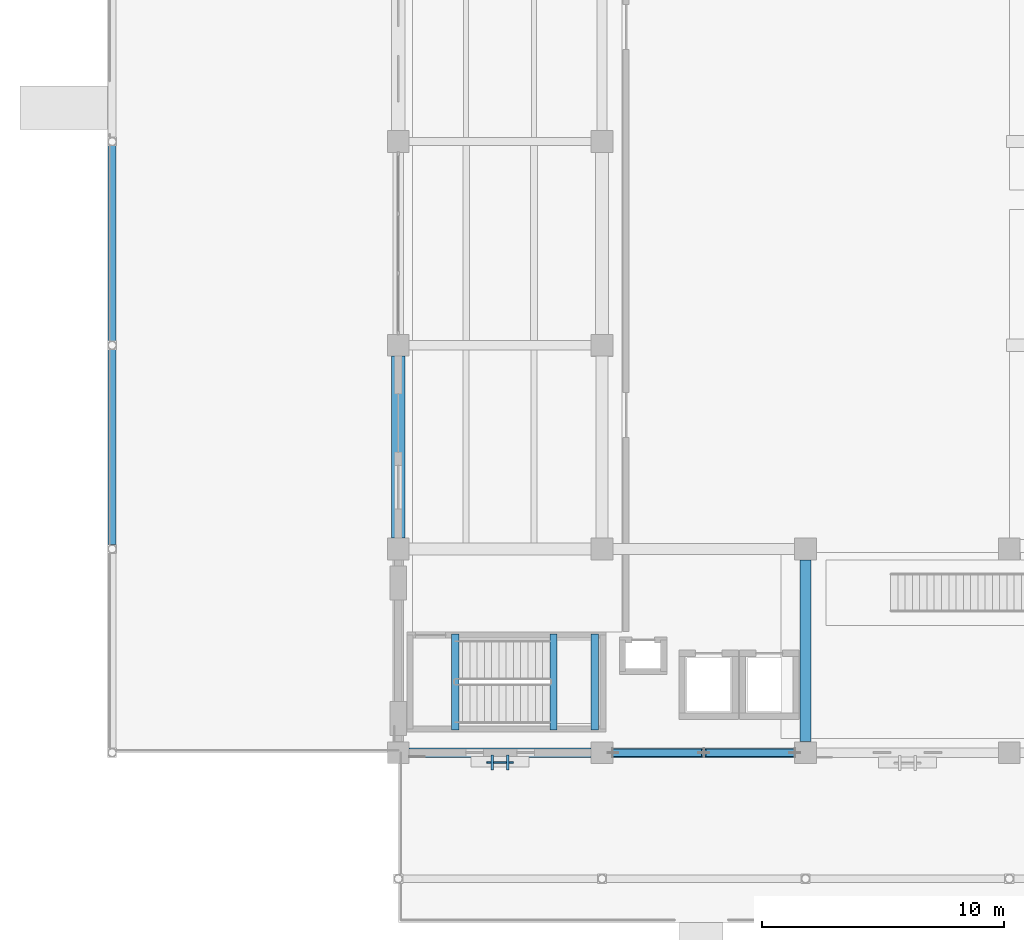
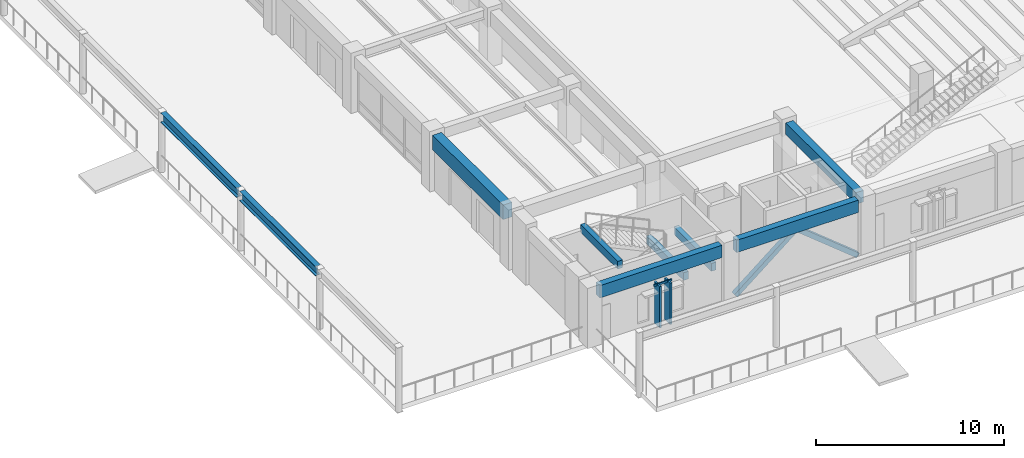
# One storey, part 23 of 135: 9 beams, 5 members, 1 element without a shape of its own.
"""IFC4 building model written with IfcOpenShell, lengths in metres."""

from ifc_helpers import new_model, si_unit, direction, frame, origin, origin_2d, place, context, subcontext, project, spatial, rectangle, hollow_rectangle, i_section, extrude, material, material_profile, profile_set, type_object, element, aggregate, save


model = new_model("IFC4")

# Units and contexts
model_context = context("Model", 3, precision=1e-05, world=origin(), true_north=direction((0.0, 1.0)))
body_context = subcontext(model_context, "Body", "Model", "MODEL_VIEW")
ifc_project = project(units=[si_unit("LENGTHUNIT", "METRE"), si_unit("AREAUNIT", "SQUARE_METRE"), si_unit("VOLUMEUNIT", "CUBIC_METRE"), si_unit("PLANEANGLEUNIT", "RADIAN"), si_unit("MASSUNIT", "GRAM", prefix="KILO")], contexts=[model_context])

# Site, building, storey
site_placement = place(None, origin())
site = spatial("IfcSite", under=ifc_project, at=site_placement, CompositionType="ELEMENT")
building_placement = place(site_placement, origin())
building = spatial("IfcBuilding", under=site, at=building_placement, Name="Cumbredor Promenade Congress Hotel", CompositionType="ELEMENT")
storey_placement = place(building_placement, origin())
storey = spatial("IfcBuildingStorey", under=building, at=storey_placement, Name="L00", CompositionType="ELEMENT", Elevation=0.0)

# Beams
ifc_material_1 = material(Name="Concrete C40/50", Category="concrete")
ifc_material_profile_1 = material_profile(ifc_material_1, rectangle(XDim=0.449951171875, YDim=0.75, at=origin_2d()), Name="RC BEAM 450x750")
ifc_profile_set_1 = profile_set([ifc_material_profile_1], Name="Concrete C40/50")
beam_type_1 = type_object("IfcBeamType", Name="BM-RC-450x750", PredefinedType="BEAM", material=ifc_profile_set_1)
beam_1_placement = place(storey_placement, frame((25.199951171875, 8.85009765625, 3.264892578125), z_axis=(0.0, 1.0, 0.0), x_axis=(-1.0, 0.0, 0.0)))
element("IfcBeam", 1, at=beam_1_placement, inside=storey, type_object=beam_type_1, Name="L01 Y-Grid Beam 051", PredefinedType="BEAM", context=body_context, shape_type="SweptSolid", body=[
    extrude(rectangle(XDim=0.449951171875, YDim=0.75, at=origin_2d()), origin(), (0.0, 0.0, 1.0), 7.5),
])
ifc_material_profile_2 = material_profile(ifc_material_1, rectangle(XDim=0.550048828125, YDim=0.949951171875, at=origin_2d()), Name="RC BEAM 550x950")
ifc_profile_set_2 = profile_set([ifc_material_profile_2], Name="Concrete C40/50")
beam_type_2 = type_object("IfcBeamType", Name="BM-RC-550x950", PredefinedType="BEAM", material=ifc_profile_set_2)
beam_2_placement = place(storey_placement, frame((8.39990234375, 17.25, 3.1650390625), z_axis=(0.0, 1.0, 0.0), x_axis=(-1.0, 0.0, 0.0)))
element("IfcBeam", 2, at=beam_2_placement, inside=storey, type_object=beam_type_2, Name="L01 Y-Grid Beam 013", PredefinedType="BEAM", context=body_context, shape_type="SweptSolid", body=[
    extrude(rectangle(XDim=0.550048828125, YDim=0.949951171875, at=origin_2d()), origin(), (0.0, 0.0, 1.0), 7.5),
])
ifc_material_2 = material(Name="Steel ASTM A992 Grade 50", Category="steel")
ifc_material_profile_3 = material_profile(ifc_material_2, i_section(OverallWidth=0.323974609375, OverallDepth=0.611083984375, WebThickness=0.0126953125, FlangeThickness=0.01904296875, at=origin_2d()), Name="W24X104")
ifc_profile_set_3 = profile_set([ifc_material_profile_3], Name="Steel ASTM A992 Grade 50")
beam_type_3 = type_object("IfcBeamType", Name="BM-W24X104", PredefinedType="BEAM", material=ifc_profile_set_3)
for number, where, z_axis, x_axis, name in (
    (3, (-3.39990234375, 16.97998046875, 3.60009765625), (0.0, 1.0, 0.0), (-1.0, 0.0, 0.0), "West Promenade Canopy Edge Beam 02"),
    (4, (-3.39990234375, 25.3798828125, 3.60009765625), (0.0, 1.0, 0.0), (-1.0, 0.0, 0.0), "West Promenade Canopy Edge Beam 03"),
):
    element("IfcBeam", number, at=place(storey_placement, frame(where, z_axis=z_axis, x_axis=x_axis)), inside=storey, type_object=beam_type_3, Name=name, PredefinedType="BEAM", context=body_context, shape_type="SweptSolid", body=[
        extrude(i_section(OverallWidth=0.323974609375, OverallDepth=0.611083984375, WebThickness=0.0126953125, FlangeThickness=0.01904296875, at=origin_2d()), origin(), (0.0, 0.0, 1.0), 8.080078125),
    ])

# Curtain wall, member
ifc_material_3 = material(Name="Thermally broken anodized aluminium and low-E glass", Category="aluminium")
curtain_wall_type = type_object("IfcCurtainWallType", Name="Solar Brise-Soleil Screen Assembly CW-07", PredefinedType="NOTDEFINED", material=ifc_material_3)
curtain_wall_placement = place(storey_placement, origin())
curtain_wall = element("IfcCurtainWall", 5, at=curtain_wall_placement, inside=storey, type_object=curtain_wall_type, Name="L00 Pier Brise-Soleil Screen 0001", PredefinedType="NOTDEFINED")
ifc_material_4 = material(Name="Thermally broken anodized aluminium", Category="aluminium")
ifc_material_profile_4 = material_profile(ifc_material_4, rectangle(XDim=0.06494140625, YDim=0.1298828125, at=origin_2d()), Name="ALU TRANSOM 65x130")
ifc_profile_set_4 = profile_set([ifc_material_profile_4], Name="Thermally broken anodized aluminium")
member_type_1 = type_object("IfcMemberType", Name="Curtain Wall Transom TR-01", PredefinedType="USERDEFINED", material=ifc_profile_set_4)
member_1_placement = place(storey_placement, frame((12.050048828125, 7.989990234375, 2.6650390625), z_axis=(1.0, 0.0, 0.0), x_axis=(0.0, 1.0, 0.0)))
member_1 = element("IfcMember", 6, at=member_1_placement, type_object=member_type_1, Name="L00 Pier Brise-Soleil Header 0003", ObjectType="TRANSOM", PredefinedType="USERDEFINED", context=body_context, shape_type="SweptSolid", body=[
    extrude(rectangle(XDim=0.06494140625, YDim=0.1298828125, at=origin_2d()), origin(), (0.0, 0.0, 1.0), 1.099853515625),
])

# Beams
ifc_material_profile_5 = material_profile(ifc_material_1, rectangle(XDim=0.300048828125, YDim=0.5, at=origin_2d()), Name="RC LINTEL 300x500")
ifc_profile_set_5 = profile_set([ifc_material_profile_5], Name="Concrete C40/50")
beam_type_4 = type_object("IfcBeamType", Name="LN-RC-300x500", PredefinedType="LINTEL", material=ifc_profile_set_5)
for number, where, z_axis, x_axis, name in (
    (7, (16.5, 9.330078125, 1.510009765625), (0.0, 1.0, 0.0), (-1.0, 0.0, 0.0), "L00 Stair ST-04 Landing Ledger Beam E"),
    (8, (14.800048828125, 9.330078125, 1.510009765625), (0.0, 1.0, 0.0), (-1.0, 0.0, 0.0), "L00 Stair ST-04 Landing Ledger Beam W"),
    (9, (10.75, 9.330078125, 3.669921875), (0.0, 1.0, 0.0), (-1.0, 0.0, 0.0), "L01 Stair ST-04 Well Header Trimmer Beam"),
):
    element("IfcBeam", number, at=place(storey_placement, frame(where, z_axis=z_axis, x_axis=x_axis)), inside=storey, type_object=beam_type_4, Name=name, PredefinedType="LINTEL", context=body_context, shape_type="SweptSolid", body=[
        extrude(rectangle(XDim=0.300048828125, YDim=0.5, at=origin_2d()), origin(), (0.0, 0.0, 1.0), 3.969970703125),
    ])
ifc_material_profile_6 = material_profile(ifc_material_1, rectangle(XDim=0.39990234375, YDim=0.800048828125, at=origin_2d()), Name="RC SPANDREL 400x800")
ifc_profile_set_6 = profile_set([ifc_material_profile_6], Name="Concrete C40/50")
beam_type_5 = type_object("IfcBeamType", Name="SP-RC-400x800", PredefinedType="SPANDREL", material=ifc_profile_set_6)
for number, where, z_axis, x_axis, name in (
    (10, (8.85009765625, 8.39990234375, 3.239990234375), (1.0, 0.0, 0.0), (0.0, 1.0, 0.0), "L01 X-Grid Beam 010"),
    (11, (17.25, 8.39990234375, 3.239990234375), (1.0, 0.0, 0.0), (0.0, 1.0, 0.0), "L01 X-Grid Beam 034"),
):
    element("IfcBeam", number, at=place(storey_placement, frame(where, z_axis=z_axis, x_axis=x_axis)), inside=storey, type_object=beam_type_5, Name=name, PredefinedType="SPANDREL", context=body_context, shape_type="SweptSolid", body=[
        extrude(rectangle(XDim=0.39990234375, YDim=0.800048828125, at=origin_2d()), origin(), (0.0, 0.0, 1.0), 7.5),
    ])

# Members
ifc_material_5 = material(Name="Steel ASTM A500 Grade C", Category="steel")
ifc_material_profile_7 = material_profile(ifc_material_5, hollow_rectangle(XDim=0.300048828125, YDim=0.300048828125, WallThickness=0.01611328125, at=origin_2d()), Name="HSS 300x300x16")
ifc_profile_set_7 = profile_set([ifc_material_profile_7], Name="Steel ASTM A500 Grade C")
member_type_2 = type_object("IfcMemberType", Name="Seismic Frame Brace CBF-1", PredefinedType="BRACE", material=ifc_profile_set_7)
for number, where, z_axis, x_axis, name in (
    (12, (17.25, 8.39990234375, 0.0), (0.777821209127, 0.0, 0.628485613703), (0.0, 1.0, 0.0), "L00 Chevron Seismic Brace 9A"),
    (13, (24.75, 8.39990234375, 0.0), (-0.777821209127, 0.0, 0.628485613703), (0.0, -1.0, 0.0), "L00 Chevron Seismic Brace 9B"),
):
    element("IfcMember", number, at=place(storey_placement, frame(where, z_axis=z_axis, x_axis=x_axis)), inside=storey, type_object=member_type_2, Name=name, PredefinedType="BRACE", context=body_context, shape_type="SweptSolid", body=[
        extrude(hollow_rectangle(XDim=0.300048828125, YDim=0.300048828125, WallThickness=0.01611328125, at=origin_2d()), origin(), (0.0, 0.0, 1.0), 4.821044921875),
    ])

# Member
ifc_material_profile_8 = material_profile(ifc_material_4, rectangle(XDim=0.110107421875, YDim=0.6201171875, at=origin_2d()), Name="ARCH FIN 110x620")
ifc_profile_set_8 = profile_set([ifc_material_profile_8], Name="Thermally broken anodized aluminium")
member_type_3 = type_object("IfcMemberType", Name="Vertical Bronze Brise-Soleil Fin BSF-02 110x620", PredefinedType="USERDEFINED", material=ifc_profile_set_8)
member_2_placement = place(storey_placement, frame((12.280029296875, 7.989990234375, 0.02001953125), z_axis=(0.0, 0.0, 1.0), x_axis=(1.0, 0.0, 0.0)))
member_2 = element("IfcMember", 14, at=member_2_placement, type_object=member_type_3, Name="L00 Pier Brise-Soleil Fin 0002", ObjectType="SOLAR FIN", PredefinedType="USERDEFINED", context=body_context, shape_type="SweptSolid", body=[
    extrude(rectangle(XDim=0.110107421875, YDim=0.6201171875, at=origin_2d()), origin(), (0.0, 0.0, 1.0), 2.68505859375),
])

member_3_placement = place(storey_placement, frame((12.919921875, 7.989990234375, 0.02001953125), z_axis=(0.0, 0.0, 1.0), x_axis=(1.0, 0.0, 0.0)))
member_3 = element("IfcMember", 15, at=member_3_placement, type_object=member_type_3, Name="L00 Pier Brise-Soleil Fin 0003", ObjectType="SOLAR FIN", PredefinedType="USERDEFINED", context=body_context, shape_type="SweptSolid", body=[
    extrude(rectangle(XDim=0.110107421875, YDim=0.6201171875, at=origin_2d()), origin(), (0.0, 0.0, 1.0), 2.68505859375),
])

aggregate(curtain_wall, [member_2, member_3, member_1])

save(model, "model.ifc")
